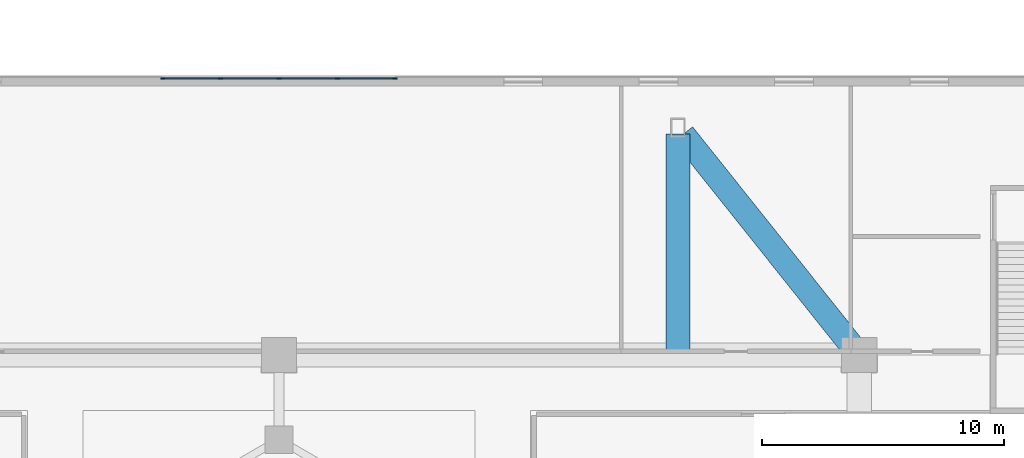
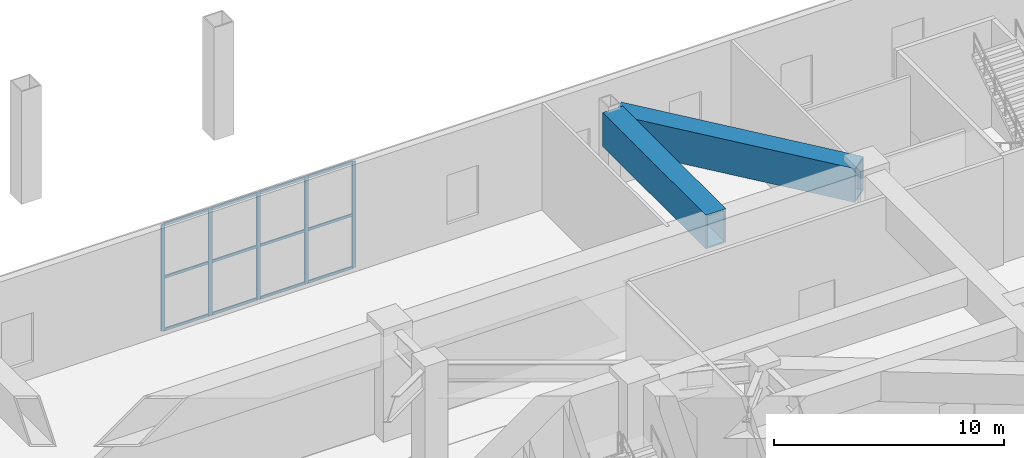
# One storey, part 8 of 24: 17 members, 2 beams, 1 element without a shape of its own.
"""IFC4 building model written with IfcOpenShell, lengths in metres."""

from ifc_helpers import new_model, si_unit, direction, frame, origin, origin_2d, place, context, subcontext, project, spatial, rectangle, hollow_rectangle, extrude, material, layer, layer_set, material_profile, profile_set, type_object, element, aggregate, save


model = new_model("IFC4")

# Units and contexts
model_context = context("Model", 3, precision=1e-05, world=origin(), true_north=direction((0.0, 1.0)))
body_context = subcontext(model_context, "Body", "Model", "MODEL_VIEW")
ifc_project = project(units=[si_unit("LENGTHUNIT", "METRE"), si_unit("AREAUNIT", "SQUARE_METRE"), si_unit("VOLUMEUNIT", "CUBIC_METRE"), si_unit("PLANEANGLEUNIT", "RADIAN"), si_unit("MASSUNIT", "GRAM", prefix="KILO")], contexts=[model_context])

# Site, building, storey
site_placement = place(None, origin())
site = spatial("IfcSite", under=ifc_project, at=site_placement, CompositionType="ELEMENT")
building_placement = place(site_placement, origin())
building = spatial("IfcBuilding", under=site, at=building_placement, Name="Apsidion Concourse Tower", CompositionType="ELEMENT")
storey_placement = place(building_placement, frame((0.0, 0.0, 17.5)))
storey = spatial("IfcBuildingStorey", under=building, at=storey_placement, Name="L03", CompositionType="ELEMENT", Elevation=17.5)

# Beams
ifc_material_1 = material(Name="Structural steel ASTM A572 Grade 50", Category="steel")
ifc_material_profile_1 = material_profile(ifc_material_1, hollow_rectangle(XDim=1.0, YDim=1.800048828125, WallThickness=0.080078125, at=origin_2d()), Name="BOX1800X1000X80")
ifc_profile_set_1 = profile_set([ifc_material_profile_1], Name="Structural steel ASTM A572 Grade 50")
beam_type = type_object("IfcBeamType", Name="BM-TR-1800", PredefinedType="USERDEFINED", material=ifc_profile_set_1)
beam_1_placement = place(storey_placement, frame((16.5, 27.14990234375, 4.800048828125), z_axis=(0.0, -1.0, 0.0), x_axis=(1.0, 0.0, 0.0)))
element("IfcBeam", 1, at=beam_1_placement, inside=storey, type_object=beam_type, Name="L03 Podium Radial Frame Girder PC12", ObjectType="GIRDER", PredefinedType="USERDEFINED", context=body_context, shape_type="SweptSolid", body=[
    extrude(hollow_rectangle(XDim=1.0, YDim=1.800048828125, WallThickness=0.080078125, at=origin_2d()), origin(), (0.0, 0.0, 1.0), 9.0),
])
beam_2_placement = place(storey_placement, frame((16.71826171875, 27.12646484375, 4.800048828125), z_axis=(0.623685030382, -0.781675753031, 0.0), x_axis=(0.781675753031, 0.623685030382, 0.0)))
element("IfcBeam", 2, at=beam_2_placement, inside=storey, type_object=beam_type, Name="L03 Podium Diagonal Frame Tie PC12", ObjectType="GIRDER", PredefinedType="USERDEFINED", context=body_context, shape_type="SweptSolid", body=[
    extrude(hollow_rectangle(XDim=1.0, YDim=1.800048828125, WallThickness=0.080078125, at=origin_2d()), origin(), (0.0, 0.0, 1.0), 11.325439453125),
])

# Curtain wall, members
ifc_material_2 = material(Name="Insulated laminated low-E glass", Category="glass")
ifc_layer = layer(ifc_material_2, 0.199951171875)
ifc_layer_set = layer_set([ifc_layer], Name="Insulated laminated low-E glass")
curtain_wall_type = type_object("IfcCurtainWallType", Name="CW-SYS-02", PredefinedType="NOTDEFINED", material=ifc_layer_set)
curtain_wall_placement = place(storey_placement, origin())
curtain_wall = element("IfcCurtainWall", 3, at=curtain_wall_placement, inside=storey, type_object=curtain_wall_type, Name="L03 Podium Glazed Curtain Wall N", PredefinedType="NOTDEFINED")
ifc_material_3 = material(Name="Anodised aluminium EN AW-6063 T6", Category="aluminium")
ifc_material_profile_2 = material_profile(ifc_material_3, rectangle(XDim=0.06494140625, YDim=0.179931640625, at=origin_2d()), Name="ALU MULLION 65x180")
ifc_profile_set_2 = profile_set([ifc_material_profile_2], Name="Anodised aluminium EN AW-6063 T6")
member_type_1 = type_object("IfcMemberType", Name="CWM-65X180", PredefinedType="MULLION", material=ifc_profile_set_2)
member_1_placement = place(storey_placement, frame((-4.803466796875, 29.43994140625, 0.0), z_axis=(0.0, 0.0, 1.0), x_axis=(0.0, 1.0, 0.0)))
member_1 = element("IfcMember", 4, at=member_1_placement, type_object=member_type_1, Name="CW-02 mullion 1", PredefinedType="MULLION", context=body_context, shape_type="SweptSolid", body=[
    extrude(rectangle(XDim=0.06494140625, YDim=0.179931640625, at=origin_2d()), origin(), (0.0, 0.0, 1.0), 5.64990234375),
])
member_2_placement = place(storey_placement, frame((-2.41796875, 29.43994140625, 0.0), z_axis=(0.0, 0.0, 1.0), x_axis=(0.0, 1.0, 0.0)))
member_2 = element("IfcMember", 5, at=member_2_placement, type_object=member_type_1, Name="CW-02 mullion 2", PredefinedType="MULLION", context=body_context, shape_type="SweptSolid", body=[
    extrude(rectangle(XDim=0.06494140625, YDim=0.179931640625, at=origin_2d()), origin(), (0.0, 0.0, 1.0), 5.64990234375),
])
member_3_placement = place(storey_placement, frame((0.0, 29.43994140625, 0.0), z_axis=(0.0, 0.0, 1.0), x_axis=(0.0, 1.0, 0.0)))
member_3 = element("IfcMember", 6, at=member_3_placement, type_object=member_type_1, Name="CW-02 mullion 3", PredefinedType="MULLION", context=body_context, shape_type="SweptSolid", body=[
    extrude(rectangle(XDim=0.06494140625, YDim=0.179931640625, at=origin_2d()), origin(), (0.0, 0.0, 1.0), 5.64990234375),
])
member_4_placement = place(storey_placement, frame((2.41796875, 29.43994140625, 0.0), z_axis=(0.0, 0.0, 1.0), x_axis=(0.0, 1.0, 0.0)))
member_4 = element("IfcMember", 7, at=member_4_placement, type_object=member_type_1, Name="CW-02 mullion 4", PredefinedType="MULLION", context=body_context, shape_type="SweptSolid", body=[
    extrude(rectangle(XDim=0.06494140625, YDim=0.179931640625, at=origin_2d()), origin(), (0.0, 0.0, 1.0), 5.64990234375),
])
member_5_placement = place(storey_placement, frame((4.803466796875, 29.43994140625, 0.0), z_axis=(0.0, 0.0, 1.0), x_axis=(0.0, 1.0, 0.0)))
member_5 = element("IfcMember", 8, at=member_5_placement, type_object=member_type_1, Name="CW-02 mullion 5", PredefinedType="MULLION", context=body_context, shape_type="SweptSolid", body=[
    extrude(rectangle(XDim=0.06494140625, YDim=0.179931640625, at=origin_2d()), origin(), (0.0, 0.0, 1.0), 5.64990234375),
])
ifc_material_profile_3 = material_profile(ifc_material_3, rectangle(XDim=0.06494140625, YDim=0.139892578125, at=origin_2d()), Name="ALU TRANSOM 65x140")
ifc_profile_set_3 = profile_set([ifc_material_profile_3], Name="Anodised aluminium EN AW-6063 T6")
member_type_2 = type_object("IfcMemberType", Name="CWT-65X140", PredefinedType="USERDEFINED", material=ifc_profile_set_3)
member_6_placement = place(storey_placement, frame((-4.77099609375, 29.43994140625, 0.032470703125), z_axis=(1.0, 0.0, 0.0), x_axis=(0.0, 1.0, 0.0)))
member_6 = element("IfcMember", 9, at=member_6_placement, type_object=member_type_2, Name="CW-02 transom 1.1", ObjectType="TRANSOM", PredefinedType="USERDEFINED", context=body_context, shape_type="SweptSolid", body=[
    extrude(rectangle(XDim=0.06494140625, YDim=0.139892578125, at=origin_2d()), origin(), (0.0, 0.0, 1.0), 2.320556640625),
])
member_7_placement = place(storey_placement, frame((-4.77099609375, 29.43994140625, 2.824951171875), z_axis=(1.0, 0.0, 0.0), x_axis=(0.0, 1.0, 0.0)))
member_7 = element("IfcMember", 10, at=member_7_placement, type_object=member_type_2, Name="CW-02 transom 1.2", ObjectType="TRANSOM", PredefinedType="USERDEFINED", context=body_context, shape_type="SweptSolid", body=[
    extrude(rectangle(XDim=0.06494140625, YDim=0.139892578125, at=origin_2d()), origin(), (0.0, 0.0, 1.0), 2.320556640625),
])
member_8_placement = place(storey_placement, frame((-4.77099609375, 29.43994140625, 5.617431640625), z_axis=(1.0, 0.0, 0.0), x_axis=(0.0, 1.0, 0.0)))
member_8 = element("IfcMember", 11, at=member_8_placement, type_object=member_type_2, Name="CW-02 transom 1.3", ObjectType="TRANSOM", PredefinedType="USERDEFINED", context=body_context, shape_type="SweptSolid", body=[
    extrude(rectangle(XDim=0.06494140625, YDim=0.139892578125, at=origin_2d()), origin(), (0.0, 0.0, 1.0), 2.320556640625),
])
member_9_placement = place(storey_placement, frame((-2.385498046875, 29.43994140625, 0.032470703125), z_axis=(1.0, 0.0, 0.0), x_axis=(0.0, 1.0, 0.0)))
member_9 = element("IfcMember", 12, at=member_9_placement, type_object=member_type_2, Name="CW-02 transom 2.1", ObjectType="TRANSOM", PredefinedType="USERDEFINED", context=body_context, shape_type="SweptSolid", body=[
    extrude(rectangle(XDim=0.06494140625, YDim=0.139892578125, at=origin_2d()), origin(), (0.0, 0.0, 1.0), 2.35302734375),
])
member_10_placement = place(storey_placement, frame((-2.385498046875, 29.43994140625, 2.824951171875), z_axis=(1.0, 0.0, 0.0), x_axis=(0.0, 1.0, 0.0)))
member_10 = element("IfcMember", 13, at=member_10_placement, type_object=member_type_2, Name="CW-02 transom 2.2", ObjectType="TRANSOM", PredefinedType="USERDEFINED", context=body_context, shape_type="SweptSolid", body=[
    extrude(rectangle(XDim=0.06494140625, YDim=0.139892578125, at=origin_2d()), origin(), (0.0, 0.0, 1.0), 2.35302734375),
])
member_11_placement = place(storey_placement, frame((-2.385498046875, 29.43994140625, 5.617431640625), z_axis=(1.0, 0.0, 0.0), x_axis=(0.0, 1.0, 0.0)))
member_11 = element("IfcMember", 14, at=member_11_placement, type_object=member_type_2, Name="CW-02 transom 2.3", ObjectType="TRANSOM", PredefinedType="USERDEFINED", context=body_context, shape_type="SweptSolid", body=[
    extrude(rectangle(XDim=0.06494140625, YDim=0.139892578125, at=origin_2d()), origin(), (0.0, 0.0, 1.0), 2.35302734375),
])
member_12_placement = place(storey_placement, frame((0.032470703125, 29.43994140625, 0.032470703125), z_axis=(1.0, 0.0, 0.0), x_axis=(0.0, 1.0, 0.0)))
member_12 = element("IfcMember", 15, at=member_12_placement, type_object=member_type_2, Name="CW-02 transom 3.1", ObjectType="TRANSOM", PredefinedType="USERDEFINED", context=body_context, shape_type="SweptSolid", body=[
    extrude(rectangle(XDim=0.06494140625, YDim=0.139892578125, at=origin_2d()), origin(), (0.0, 0.0, 1.0), 2.35302734375),
])
member_13_placement = place(storey_placement, frame((0.032470703125, 29.43994140625, 2.824951171875), z_axis=(1.0, 0.0, 0.0), x_axis=(0.0, 1.0, 0.0)))
member_13 = element("IfcMember", 16, at=member_13_placement, type_object=member_type_2, Name="CW-02 transom 3.2", ObjectType="TRANSOM", PredefinedType="USERDEFINED", context=body_context, shape_type="SweptSolid", body=[
    extrude(rectangle(XDim=0.06494140625, YDim=0.139892578125, at=origin_2d()), origin(), (0.0, 0.0, 1.0), 2.35302734375),
])
member_14_placement = place(storey_placement, frame((0.032470703125, 29.43994140625, 5.617431640625), z_axis=(1.0, 0.0, 0.0), x_axis=(0.0, 1.0, 0.0)))
member_14 = element("IfcMember", 17, at=member_14_placement, type_object=member_type_2, Name="CW-02 transom 3.3", ObjectType="TRANSOM", PredefinedType="USERDEFINED", context=body_context, shape_type="SweptSolid", body=[
    extrude(rectangle(XDim=0.06494140625, YDim=0.139892578125, at=origin_2d()), origin(), (0.0, 0.0, 1.0), 2.35302734375),
])
member_15_placement = place(storey_placement, frame((2.450439453125, 29.43994140625, 0.032470703125), z_axis=(1.0, 0.0, 0.0), x_axis=(0.0, 1.0, 0.0)))
member_15 = element("IfcMember", 18, at=member_15_placement, type_object=member_type_2, Name="CW-02 transom 4.1", ObjectType="TRANSOM", PredefinedType="USERDEFINED", context=body_context, shape_type="SweptSolid", body=[
    extrude(rectangle(XDim=0.06494140625, YDim=0.139892578125, at=origin_2d()), origin(), (0.0, 0.0, 1.0), 2.320556640625),
])
member_16_placement = place(storey_placement, frame((2.450439453125, 29.43994140625, 2.824951171875), z_axis=(1.0, 0.0, 0.0), x_axis=(0.0, 1.0, 0.0)))
member_16 = element("IfcMember", 19, at=member_16_placement, type_object=member_type_2, Name="CW-02 transom 4.2", ObjectType="TRANSOM", PredefinedType="USERDEFINED", context=body_context, shape_type="SweptSolid", body=[
    extrude(rectangle(XDim=0.06494140625, YDim=0.139892578125, at=origin_2d()), origin(), (0.0, 0.0, 1.0), 2.320556640625),
])
member_17_placement = place(storey_placement, frame((2.450439453125, 29.43994140625, 5.617431640625), z_axis=(1.0, 0.0, 0.0), x_axis=(0.0, 1.0, 0.0)))
member_17 = element("IfcMember", 20, at=member_17_placement, type_object=member_type_2, Name="CW-02 transom 4.3", ObjectType="TRANSOM", PredefinedType="USERDEFINED", context=body_context, shape_type="SweptSolid", body=[
    extrude(rectangle(XDim=0.06494140625, YDim=0.139892578125, at=origin_2d()), origin(), (0.0, 0.0, 1.0), 2.320556640625),
])
aggregate(curtain_wall, [member_1, member_2, member_3, member_4, member_5, member_6, member_7, member_8, member_9, member_10, member_11, member_12, member_13, member_14, member_15, member_16, member_17])

save(model, "model.ifc")
